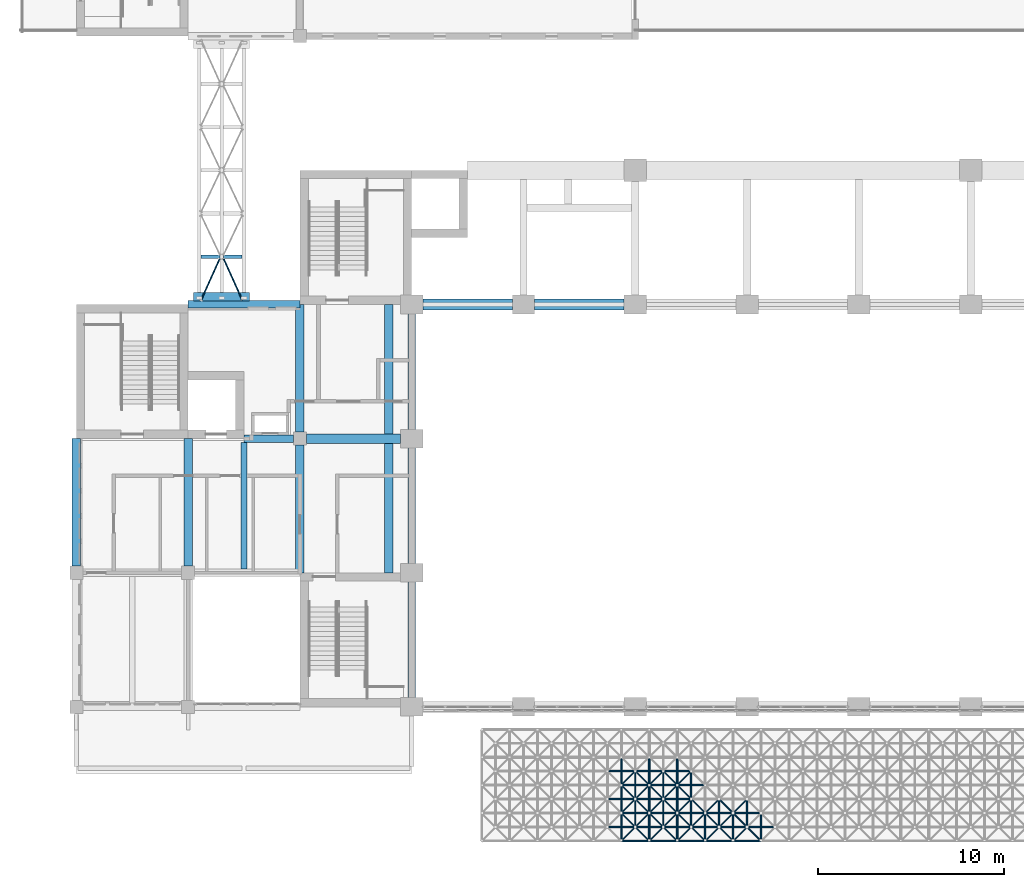
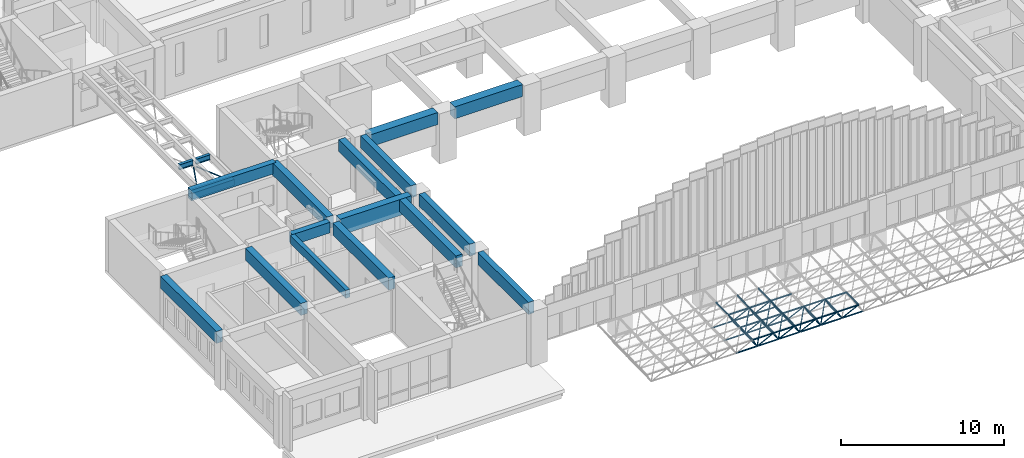
# One storey, part 11 of 103: 85 members, 18 beams.
"""IFC4 building model written with IfcOpenShell, lengths in metres."""

from ifc_helpers import new_model, si_unit, direction, frame, origin, origin_2d, place, context, subcontext, project, spatial, rectangle, hollow_circle, i_section, extrude, material, material_profile, profile_set, type_object, element, save


model = new_model("IFC4")

# Units and contexts
model_context = context("Model", 3, precision=1e-05, world=origin(), true_north=direction((0.0, 1.0)))
body_context = subcontext(model_context, "Body", "Model", "MODEL_VIEW")
ifc_project = project(units=[si_unit("LENGTHUNIT", "METRE"), si_unit("AREAUNIT", "SQUARE_METRE"), si_unit("VOLUMEUNIT", "CUBIC_METRE"), si_unit("PLANEANGLEUNIT", "RADIAN"), si_unit("MASSUNIT", "GRAM", prefix="KILO")], contexts=[model_context])

# Site, building, storey
site_placement = place(None, origin())
site = spatial("IfcSite", under=ifc_project, at=site_placement, CompositionType="ELEMENT")
building_placement = place(site_placement, origin())
building = spatial("IfcBuilding", under=site, at=building_placement, Name="Laocheng Heights Fire and Rescue Headquarters", CompositionType="ELEMENT")
storey_placement = place(building_placement, frame((0.0, 0.0, 4.199951171875)))
storey = spatial("IfcBuildingStorey", under=building, at=storey_placement, Name="L01", CompositionType="ELEMENT", Elevation=4.199951171875)

# Members
ifc_material_1 = material(Name="Steel Q355B", Category="steel")
ifc_material_profile_1 = material_profile(ifc_material_1, hollow_circle(Radius=0.05078125, WallThickness=0.00390625, at=origin_2d()), Name="CHS 101.6x4")
ifc_profile_set_1 = profile_set([ifc_material_profile_1], Name="Steel Q355B")
member_type_1 = type_object("IfcMemberType", Name="APRON CANOPY BOTTOM CHORD CHS 101.6x4", PredefinedType="CHORD", material=ifc_profile_set_1)
for number, where, z_axis, x_axis, name in (
    (1, (28.5, -3.449951171875, 0.8310546875), (1.0, 0.0, 0.0), (0.0, 1.0, 0.0), "Apron canopy bottom chord AC-B027"),
    (2, (30.0, -3.449951171875, 0.8310546875), (1.0, 0.0, 0.0), (0.0, 1.0, 0.0), "Apron canopy bottom chord AC-B028"),
    (3, (31.5, -3.449951171875, 0.8310546875), (1.0, 0.0, 0.0), (0.0, 1.0, 0.0), "Apron canopy bottom chord AC-B029"),
    (4, (28.5, -4.949951171875, 0.801025390625), (1.0, 0.0, 0.0), (0.0, 1.0, 0.0), "Apron canopy bottom chord AC-B049"),
    (5, (30.0, -4.949951171875, 0.801025390625), (1.0, 0.0, 0.0), (0.0, 1.0, 0.0), "Apron canopy bottom chord AC-B050"),
    (6, (31.5, -4.949951171875, 0.801025390625), (1.0, 0.0, 0.0), (0.0, 1.0, 0.0), "Apron canopy bottom chord AC-B051"),
    (7, (28.5, -6.449951171875, 0.77099609375), (1.0, 0.0, 0.0), (0.0, 1.0, 0.0), "Apron canopy bottom chord AC-B071"),
    (8, (30.0, -6.449951171875, 0.77099609375), (1.0, 0.0, 0.0), (0.0, 1.0, 0.0), "Apron canopy bottom chord AC-B072"),
    (9, (31.5, -6.449951171875, 0.77099609375), (1.0, 0.0, 0.0), (0.0, 1.0, 0.0), "Apron canopy bottom chord AC-B073"),
    (10, (33.0, -6.449951171875, 0.77099609375), (1.0, 0.0, 0.0), (0.0, 1.0, 0.0), "Apron canopy bottom chord AC-B074"),
    (11, (34.5, -6.449951171875, 0.77099609375), (1.0, 0.0, 0.0), (0.0, 1.0, 0.0), "Apron canopy bottom chord AC-B075"),
    (12, (36.0, -6.449951171875, 0.77099609375), (1.0, 0.0, 0.0), (0.0, 1.0, 0.0), "Apron canopy bottom chord AC-B076"),
):
    element("IfcMember", number, at=place(storey_placement, frame(where, z_axis=z_axis, x_axis=x_axis)), inside=storey, type_object=member_type_1, Name=name, PredefinedType="CHORD", context=body_context, shape_type="SweptSolid", body=[
        extrude(hollow_circle(Radius=0.05078125, WallThickness=0.00390625, at=origin_2d()), origin(), (0.0, 0.0, 1.0), 1.5),
    ])
for number, where, z_axis, x_axis, name in (
    (13, (30.0, -3.449951171875, 0.8310546875), (0.0, -0.999799669399, -0.020015520725), (1.0, 0.0, 0.0), "Apron canopy bottom chord AC-B105"),
    (14, (30.0, -4.949951171875, 0.801025390625), (0.0, -0.999799669399, -0.020015520725), (1.0, 0.0, 0.0), "Apron canopy bottom chord AC-B106"),
    (15, (31.5, -3.449951171875, 0.8310546875), (0.0, -0.999799669399, -0.020015520725), (1.0, 0.0, 0.0), "Apron canopy bottom chord AC-B108"),
    (16, (31.5, -4.949951171875, 0.801025390625), (0.0, -0.999799669399, -0.020015520725), (1.0, 0.0, 0.0), "Apron canopy bottom chord AC-B109"),
    (17, (33.0, -3.449951171875, 0.8310546875), (0.0, -0.999799669399, -0.020015520725), (1.0, 0.0, 0.0), "Apron canopy bottom chord AC-B111"),
    (18, (33.0, -4.949951171875, 0.801025390625), (0.0, -0.999799669399, -0.020015520725), (1.0, 0.0, 0.0), "Apron canopy bottom chord AC-B112"),
    (19, (34.5, -4.949951171875, 0.801025390625), (0.0, -0.999799669399, -0.020015520725), (1.0, 0.0, 0.0), "Apron canopy bottom chord AC-B115"),
    (20, (36.0, -4.949951171875, 0.801025390625), (0.0, -0.999799669399, -0.020015520725), (1.0, 0.0, 0.0), "Apron canopy bottom chord AC-B118"),
):
    element("IfcMember", number, at=place(storey_placement, frame(where, z_axis=z_axis, x_axis=x_axis)), inside=storey, type_object=member_type_1, Name=name, PredefinedType="CHORD", context=body_context, shape_type="SweptSolid", body=[
        extrude(hollow_circle(Radius=0.05078125, WallThickness=0.00390625, at=origin_2d()), origin(), (0.0, 0.0, 1.0), 1.500244140625),
    ])
ifc_material_2 = material(Name="Steel Q355B", Category="steel")
ifc_material_profile_2 = material_profile(ifc_material_2, hollow_circle(Radius=0.05712890625, WallThickness=0.0048828125, at=origin_2d()), Name="CHS 114.3x5")
ifc_profile_set_2 = profile_set([ifc_material_profile_2], Name="Steel Q355B")
member_type_2 = type_object("IfcMemberType", Name="APRON CANOPY TOP CHORD CHS 114.3x5", PredefinedType="CHORD", material=ifc_profile_set_2)
for number, where, z_axis, x_axis, name in (
    (21, (29.25, -4.199951171875, 2.01611328125), (1.0, 0.0, 0.0), (0.0, 1.0, 0.0), "Apron canopy top chord AC-T052"),
    (22, (30.75, -4.199951171875, 2.01611328125), (1.0, 0.0, 0.0), (0.0, 1.0, 0.0), "Apron canopy top chord AC-T053"),
    (23, (32.25, -4.199951171875, 2.01611328125), (1.0, 0.0, 0.0), (0.0, 1.0, 0.0), "Apron canopy top chord AC-T054"),
    (24, (29.25, -5.699951171875, 1.986083984375), (1.0, 0.0, 0.0), (0.0, 1.0, 0.0), "Apron canopy top chord AC-T075"),
    (25, (30.75, -5.699951171875, 1.986083984375), (1.0, 0.0, 0.0), (0.0, 1.0, 0.0), "Apron canopy top chord AC-T076"),
    (26, (32.25, -5.699951171875, 1.986083984375), (1.0, 0.0, 0.0), (0.0, 1.0, 0.0), "Apron canopy top chord AC-T077"),
    (27, (33.75, -5.699951171875, 1.986083984375), (1.0, 0.0, 0.0), (0.0, 1.0, 0.0), "Apron canopy top chord AC-T078"),
    (28, (35.25, -5.699951171875, 1.986083984375), (1.0, 0.0, 0.0), (0.0, 1.0, 0.0), "Apron canopy top chord AC-T079"),
    (29, (29.25, -7.199951171875, 1.9560546875), (1.0, 0.0, 0.0), (0.0, 1.0, 0.0), "Apron canopy top chord AC-T098"),
    (30, (30.75, -7.199951171875, 1.9560546875), (1.0, 0.0, 0.0), (0.0, 1.0, 0.0), "Apron canopy top chord AC-T099"),
    (31, (32.25, -7.199951171875, 1.9560546875), (1.0, 0.0, 0.0), (0.0, 1.0, 0.0), "Apron canopy top chord AC-T100"),
    (32, (33.75, -7.199951171875, 1.9560546875), (1.0, 0.0, 0.0), (0.0, 1.0, 0.0), "Apron canopy top chord AC-T101"),
    (33, (35.25, -7.199951171875, 1.9560546875), (1.0, 0.0, 0.0), (0.0, 1.0, 0.0), "Apron canopy top chord AC-T102"),
):
    element("IfcMember", number, at=place(storey_placement, frame(where, z_axis=z_axis, x_axis=x_axis)), inside=storey, type_object=member_type_2, Name=name, PredefinedType="CHORD", context=body_context, shape_type="SweptSolid", body=[
        extrude(hollow_circle(Radius=0.05712890625, WallThickness=0.0048828125, at=origin_2d()), origin(), (0.0, 0.0, 1.0), 1.5),
    ])
for number, where, z_axis, x_axis, name in (
    (34, (29.25, -2.699951171875, 2.046142578125), (0.0, -0.999799669399, -0.020015520725), (1.0, 0.0, 0.0), "Apron canopy top chord AC-T137"),
    (35, (29.25, -4.199951171875, 2.01611328125), (0.0, -0.999799669399, -0.020015520725), (1.0, 0.0, 0.0), "Apron canopy top chord AC-T138"),
    (36, (29.25, -5.699951171875, 1.986083984375), (0.0, -0.999799669399, -0.020015520725), (1.0, 0.0, 0.0), "Apron canopy top chord AC-T139"),
    (37, (30.75, -2.699951171875, 2.046142578125), (0.0, -0.999799669399, -0.020015520725), (1.0, 0.0, 0.0), "Apron canopy top chord AC-T141"),
    (38, (30.75, -4.199951171875, 2.01611328125), (0.0, -0.999799669399, -0.020015520725), (1.0, 0.0, 0.0), "Apron canopy top chord AC-T142"),
    (39, (30.75, -5.699951171875, 1.986083984375), (0.0, -0.999799669399, -0.020015520725), (1.0, 0.0, 0.0), "Apron canopy top chord AC-T143"),
    (40, (32.25, -2.699951171875, 2.046142578125), (0.0, -0.999799669399, -0.020015520725), (1.0, 0.0, 0.0), "Apron canopy top chord AC-T145"),
    (41, (32.25, -4.199951171875, 2.01611328125), (0.0, -0.999799669399, -0.020015520725), (1.0, 0.0, 0.0), "Apron canopy top chord AC-T146"),
    (42, (32.25, -5.699951171875, 1.986083984375), (0.0, -0.999799669399, -0.020015520725), (1.0, 0.0, 0.0), "Apron canopy top chord AC-T147"),
    (43, (33.75, -5.699951171875, 1.986083984375), (0.0, -0.999799669399, -0.020015520725), (1.0, 0.0, 0.0), "Apron canopy top chord AC-T151"),
    (44, (35.25, -5.699951171875, 1.986083984375), (0.0, -0.999799669399, -0.020015520725), (1.0, 0.0, 0.0), "Apron canopy top chord AC-T155"),
    (45, (36.75, -5.699951171875, 1.986083984375), (0.0, -0.999799669399, -0.020015520725), (1.0, 0.0, 0.0), "Apron canopy top chord AC-T159"),
):
    element("IfcMember", number, at=place(storey_placement, frame(where, z_axis=z_axis, x_axis=x_axis)), inside=storey, type_object=member_type_2, Name=name, PredefinedType="CHORD", context=body_context, shape_type="SweptSolid", body=[
        extrude(hollow_circle(Radius=0.05712890625, WallThickness=0.0048828125, at=origin_2d()), origin(), (0.0, 0.0, 1.0), 1.500244140625),
    ])
ifc_material_3 = material(Name="Steel Q355B", Category="steel")
ifc_material_profile_3 = material_profile(ifc_material_3, hollow_circle(Radius=0.0380859375, WallThickness=0.00390625, at=origin_2d()), Name="CHS 76.1x4")
ifc_profile_set_3 = profile_set([ifc_material_profile_3], Name="Steel Q355B")
member_type_3 = type_object("IfcMemberType", Name="APRON CANOPY WEB CHS 76.1x4", PredefinedType="BRACE", material=ifc_profile_set_3)
for number, where, z_axis, x_axis, name in (
    (46, (30.0, -3.449951171875, 0.8310546875), (-0.471580249604, -0.471580249604, 0.745133636582), (0.707106781187, -0.707106781187, 0.0), "Apron canopy web AC-W115"),
    (47, (30.0, -3.449951171875, 0.8310546875), (0.471580249604, -0.471580249604, 0.745133636582), (0.707106781187, 0.707106781187, 0.0), "Apron canopy web AC-W116"),
    (48, (31.5, -3.449951171875, 0.8310546875), (-0.471580249604, -0.471580249604, 0.745133636582), (0.707106781187, -0.707106781187, 0.0), "Apron canopy web AC-W119"),
    (49, (31.5, -3.449951171875, 0.8310546875), (0.471580249604, -0.471580249604, 0.745133636582), (0.707106781187, 0.707106781187, 0.0), "Apron canopy web AC-W120"),
    (50, (33.0, -3.449951171875, 0.8310546875), (-0.471580249604, -0.471580249604, 0.745133636582), (0.707106781187, -0.707106781187, 0.0), "Apron canopy web AC-W123"),
):
    element("IfcMember", number, at=place(storey_placement, frame(where, z_axis=z_axis, x_axis=x_axis)), inside=storey, type_object=member_type_3, Name=name, PredefinedType="BRACE", context=body_context, shape_type="SweptSolid", body=[
        extrude(hollow_circle(Radius=0.0380859375, WallThickness=0.00390625, at=origin_2d()), origin(), (0.0, 0.0, 1.0), 1.59033203125),
    ])
for number, where, z_axis, x_axis, name in (
    (51, (30.0, -4.949951171875, 0.801025390625), (-0.465001629625, 0.465001629625, 0.75335713237), (-0.707106781187, -0.707106781187, 0.0), "Apron canopy web AC-W205"),
    (52, (30.0, -4.949951171875, 0.801025390625), (0.465001629625, 0.465001629625, 0.75335713237), (-0.707106781187, 0.707106781187, 0.0), "Apron canopy web AC-W206"),
):
    element("IfcMember", number, at=place(storey_placement, frame(where, z_axis=z_axis, x_axis=x_axis)), inside=storey, type_object=member_type_3, Name=name, PredefinedType="BRACE", context=body_context, shape_type="SweptSolid", body=[
        extrude(hollow_circle(Radius=0.0380859375, WallThickness=0.00390625, at=origin_2d()), origin(), (0.0, 0.0, 1.0), 1.61279296875),
    ])
for number, where, z_axis, x_axis, name in (
    (53, (30.0, -4.949951171875, 0.801025390625), (-0.471580249604, -0.471580249604, 0.745133636582), (0.707106781187, -0.707106781187, 0.0), "Apron canopy web AC-W207"),
    (54, (30.0, -4.949951171875, 0.801025390625), (0.471580249604, -0.471580249604, 0.745133636582), (0.707106781187, 0.707106781187, 0.0), "Apron canopy web AC-W208"),
):
    element("IfcMember", number, at=place(storey_placement, frame(where, z_axis=z_axis, x_axis=x_axis)), inside=storey, type_object=member_type_3, Name=name, PredefinedType="BRACE", context=body_context, shape_type="SweptSolid", body=[
        extrude(hollow_circle(Radius=0.0380859375, WallThickness=0.00390625, at=origin_2d()), origin(), (0.0, 0.0, 1.0), 1.59033203125),
    ])
for number, where, z_axis, x_axis, name in (
    (55, (31.5, -4.949951171875, 0.801025390625), (-0.465001629625, 0.465001629625, 0.75335713237), (-0.707106781187, -0.707106781187, 0.0), "Apron canopy web AC-W209"),
    (56, (31.5, -4.949951171875, 0.801025390625), (0.465001629625, 0.465001629625, 0.75335713237), (-0.707106781187, 0.707106781187, 0.0), "Apron canopy web AC-W210"),
):
    element("IfcMember", number, at=place(storey_placement, frame(where, z_axis=z_axis, x_axis=x_axis)), inside=storey, type_object=member_type_3, Name=name, PredefinedType="BRACE", context=body_context, shape_type="SweptSolid", body=[
        extrude(hollow_circle(Radius=0.0380859375, WallThickness=0.00390625, at=origin_2d()), origin(), (0.0, 0.0, 1.0), 1.61279296875),
    ])
for number, where, z_axis, x_axis, name in (
    (57, (31.5, -4.949951171875, 0.801025390625), (-0.471580249604, -0.471580249604, 0.745133636582), (0.707106781187, -0.707106781187, 0.0), "Apron canopy web AC-W211"),
    (58, (31.5, -4.949951171875, 0.801025390625), (0.471580249604, -0.471580249604, 0.745133636582), (0.707106781187, 0.707106781187, 0.0), "Apron canopy web AC-W212"),
):
    element("IfcMember", number, at=place(storey_placement, frame(where, z_axis=z_axis, x_axis=x_axis)), inside=storey, type_object=member_type_3, Name=name, PredefinedType="BRACE", context=body_context, shape_type="SweptSolid", body=[
        extrude(hollow_circle(Radius=0.0380859375, WallThickness=0.00390625, at=origin_2d()), origin(), (0.0, 0.0, 1.0), 1.59033203125),
    ])
member_1_placement = place(storey_placement, frame((33.0, -4.949951171875, 0.801025390625), z_axis=(-0.465001629625, 0.465001629625, 0.75335713237), x_axis=(-0.707106781187, -0.707106781187, 0.0)))
element("IfcMember", 59, at=member_1_placement, inside=storey, type_object=member_type_3, Name="Apron canopy web AC-W213", PredefinedType="BRACE", context=body_context, shape_type="SweptSolid", body=[
    extrude(hollow_circle(Radius=0.0380859375, WallThickness=0.00390625, at=origin_2d()), origin(), (0.0, 0.0, 1.0), 1.61279296875),
])
for number, where, z_axis, x_axis, name in (
    (60, (33.0, -4.949951171875, 0.801025390625), (-0.471580249604, -0.471580249604, 0.745133636582), (0.707106781187, -0.707106781187, 0.0), "Apron canopy web AC-W215"),
    (61, (33.0, -4.949951171875, 0.801025390625), (0.471580249604, -0.471580249604, 0.745133636582), (0.707106781187, 0.707106781187, 0.0), "Apron canopy web AC-W216"),
    (62, (34.5, -4.949951171875, 0.801025390625), (-0.471580249604, -0.471580249604, 0.745133636582), (0.707106781187, -0.707106781187, 0.0), "Apron canopy web AC-W219"),
    (63, (34.5, -4.949951171875, 0.801025390625), (0.471580249604, -0.471580249604, 0.745133636582), (0.707106781187, 0.707106781187, 0.0), "Apron canopy web AC-W220"),
    (64, (36.0, -4.949951171875, 0.801025390625), (-0.471580249604, -0.471580249604, 0.745133636582), (0.707106781187, -0.707106781187, 0.0), "Apron canopy web AC-W223"),
):
    element("IfcMember", number, at=place(storey_placement, frame(where, z_axis=z_axis, x_axis=x_axis)), inside=storey, type_object=member_type_3, Name=name, PredefinedType="BRACE", context=body_context, shape_type="SweptSolid", body=[
        extrude(hollow_circle(Radius=0.0380859375, WallThickness=0.00390625, at=origin_2d()), origin(), (0.0, 0.0, 1.0), 1.59033203125),
    ])
for number, where, z_axis, x_axis, name in (
    (65, (30.0, -6.449951171875, 0.77099609375), (-0.465001629625, 0.465001629625, 0.75335713237), (-0.707106781187, -0.707106781187, 0.0), "Apron canopy web AC-W297"),
    (66, (30.0, -6.449951171875, 0.77099609375), (0.465001629625, 0.465001629625, 0.75335713237), (-0.707106781187, 0.707106781187, 0.0), "Apron canopy web AC-W298"),
):
    element("IfcMember", number, at=place(storey_placement, frame(where, z_axis=z_axis, x_axis=x_axis)), inside=storey, type_object=member_type_3, Name=name, PredefinedType="BRACE", context=body_context, shape_type="SweptSolid", body=[
        extrude(hollow_circle(Radius=0.0380859375, WallThickness=0.00390625, at=origin_2d()), origin(), (0.0, 0.0, 1.0), 1.61279296875),
    ])
for number, where, z_axis, x_axis, name in (
    (67, (30.0, -6.449951171875, 0.77099609375), (-0.471580249604, -0.471580249604, 0.745133636582), (0.707106781187, -0.707106781187, 0.0), "Apron canopy web AC-W299"),
    (68, (30.0, -6.449951171875, 0.77099609375), (0.471580249604, -0.471580249604, 0.745133636582), (0.707106781187, 0.707106781187, 0.0), "Apron canopy web AC-W300"),
):
    element("IfcMember", number, at=place(storey_placement, frame(where, z_axis=z_axis, x_axis=x_axis)), inside=storey, type_object=member_type_3, Name=name, PredefinedType="BRACE", context=body_context, shape_type="SweptSolid", body=[
        extrude(hollow_circle(Radius=0.0380859375, WallThickness=0.00390625, at=origin_2d()), origin(), (0.0, 0.0, 1.0), 1.59033203125),
    ])
for number, where, z_axis, x_axis, name in (
    (69, (31.5, -6.449951171875, 0.77099609375), (-0.465001629625, 0.465001629625, 0.75335713237), (-0.707106781187, -0.707106781187, 0.0), "Apron canopy web AC-W301"),
    (70, (31.5, -6.449951171875, 0.77099609375), (0.465001629625, 0.465001629625, 0.75335713237), (-0.707106781187, 0.707106781187, 0.0), "Apron canopy web AC-W302"),
):
    element("IfcMember", number, at=place(storey_placement, frame(where, z_axis=z_axis, x_axis=x_axis)), inside=storey, type_object=member_type_3, Name=name, PredefinedType="BRACE", context=body_context, shape_type="SweptSolid", body=[
        extrude(hollow_circle(Radius=0.0380859375, WallThickness=0.00390625, at=origin_2d()), origin(), (0.0, 0.0, 1.0), 1.61279296875),
    ])
for number, where, z_axis, x_axis, name in (
    (71, (31.5, -6.449951171875, 0.77099609375), (-0.471580249604, -0.471580249604, 0.745133636582), (0.707106781187, -0.707106781187, 0.0), "Apron canopy web AC-W303"),
    (72, (31.5, -6.449951171875, 0.77099609375), (0.471580249604, -0.471580249604, 0.745133636582), (0.707106781187, 0.707106781187, 0.0), "Apron canopy web AC-W304"),
):
    element("IfcMember", number, at=place(storey_placement, frame(where, z_axis=z_axis, x_axis=x_axis)), inside=storey, type_object=member_type_3, Name=name, PredefinedType="BRACE", context=body_context, shape_type="SweptSolid", body=[
        extrude(hollow_circle(Radius=0.0380859375, WallThickness=0.00390625, at=origin_2d()), origin(), (0.0, 0.0, 1.0), 1.59033203125),
    ])
for number, where, z_axis, x_axis, name in (
    (73, (33.0, -6.449951171875, 0.77099609375), (-0.465001629625, 0.465001629625, 0.75335713237), (-0.707106781187, -0.707106781187, 0.0), "Apron canopy web AC-W305"),
    (74, (33.0, -6.449951171875, 0.77099609375), (0.465001629625, 0.465001629625, 0.75335713237), (-0.707106781187, 0.707106781187, 0.0), "Apron canopy web AC-W306"),
):
    element("IfcMember", number, at=place(storey_placement, frame(where, z_axis=z_axis, x_axis=x_axis)), inside=storey, type_object=member_type_3, Name=name, PredefinedType="BRACE", context=body_context, shape_type="SweptSolid", body=[
        extrude(hollow_circle(Radius=0.0380859375, WallThickness=0.00390625, at=origin_2d()), origin(), (0.0, 0.0, 1.0), 1.61279296875),
    ])
for number, where, z_axis, x_axis, name in (
    (75, (33.0, -6.449951171875, 0.77099609375), (-0.471580249604, -0.471580249604, 0.745133636582), (0.707106781187, -0.707106781187, 0.0), "Apron canopy web AC-W307"),
    (76, (33.0, -6.449951171875, 0.77099609375), (0.471580249604, -0.471580249604, 0.745133636582), (0.707106781187, 0.707106781187, 0.0), "Apron canopy web AC-W308"),
):
    element("IfcMember", number, at=place(storey_placement, frame(where, z_axis=z_axis, x_axis=x_axis)), inside=storey, type_object=member_type_3, Name=name, PredefinedType="BRACE", context=body_context, shape_type="SweptSolid", body=[
        extrude(hollow_circle(Radius=0.0380859375, WallThickness=0.00390625, at=origin_2d()), origin(), (0.0, 0.0, 1.0), 1.59033203125),
    ])
for number, where, z_axis, x_axis, name in (
    (77, (34.5, -6.449951171875, 0.77099609375), (-0.465001629625, 0.465001629625, 0.75335713237), (-0.707106781187, -0.707106781187, 0.0), "Apron canopy web AC-W309"),
    (78, (34.5, -6.449951171875, 0.77099609375), (0.465001629625, 0.465001629625, 0.75335713237), (-0.707106781187, 0.707106781187, 0.0), "Apron canopy web AC-W310"),
):
    element("IfcMember", number, at=place(storey_placement, frame(where, z_axis=z_axis, x_axis=x_axis)), inside=storey, type_object=member_type_3, Name=name, PredefinedType="BRACE", context=body_context, shape_type="SweptSolid", body=[
        extrude(hollow_circle(Radius=0.0380859375, WallThickness=0.00390625, at=origin_2d()), origin(), (0.0, 0.0, 1.0), 1.61279296875),
    ])
for number, where, z_axis, x_axis, name in (
    (79, (34.5, -6.449951171875, 0.77099609375), (-0.471580249604, -0.471580249604, 0.745133636582), (0.707106781187, -0.707106781187, 0.0), "Apron canopy web AC-W311"),
    (80, (34.5, -6.449951171875, 0.77099609375), (0.471580249604, -0.471580249604, 0.745133636582), (0.707106781187, 0.707106781187, 0.0), "Apron canopy web AC-W312"),
):
    element("IfcMember", number, at=place(storey_placement, frame(where, z_axis=z_axis, x_axis=x_axis)), inside=storey, type_object=member_type_3, Name=name, PredefinedType="BRACE", context=body_context, shape_type="SweptSolid", body=[
        extrude(hollow_circle(Radius=0.0380859375, WallThickness=0.00390625, at=origin_2d()), origin(), (0.0, 0.0, 1.0), 1.59033203125),
    ])
member_2_placement = place(storey_placement, frame((36.0, -6.449951171875, 0.77099609375), z_axis=(-0.465001629625, 0.465001629625, 0.75335713237), x_axis=(-0.707106781187, -0.707106781187, 0.0)))
element("IfcMember", 81, at=member_2_placement, inside=storey, type_object=member_type_3, Name="Apron canopy web AC-W313", PredefinedType="BRACE", context=body_context, shape_type="SweptSolid", body=[
    extrude(hollow_circle(Radius=0.0380859375, WallThickness=0.00390625, at=origin_2d()), origin(), (0.0, 0.0, 1.0), 1.61279296875),
])
for number, where, z_axis, x_axis, name in (
    (82, (36.0, -6.449951171875, 0.77099609375), (-0.471580249604, -0.471580249604, 0.745133636582), (0.707106781187, -0.707106781187, 0.0), "Apron canopy web AC-W315"),
    (83, (36.0, -6.449951171875, 0.77099609375), (0.471580249604, -0.471580249604, 0.745133636582), (0.707106781187, 0.707106781187, 0.0), "Apron canopy web AC-W316"),
):
    element("IfcMember", number, at=place(storey_placement, frame(where, z_axis=z_axis, x_axis=x_axis)), inside=storey, type_object=member_type_3, Name=name, PredefinedType="BRACE", context=body_context, shape_type="SweptSolid", body=[
        extrude(hollow_circle(Radius=0.0380859375, WallThickness=0.00390625, at=origin_2d()), origin(), (0.0, 0.0, 1.0), 1.59033203125),
    ])

# Beams
ifc_material_4 = material(Name="Concrete C40", Category="concrete")
ifc_material_profile_4 = material_profile(ifc_material_4, rectangle(XDim=0.300048828125, YDim=0.60009765625, at=origin_2d()), Name="RC BEAM 300x600 PAVILION SECONDARY")
ifc_profile_set_4 = profile_set([ifc_material_profile_4], Name="Concrete C40")
beam_type_1 = type_object("IfcBeamType", Name="RC BEAM 300x600 PAVILION SECONDARY", PredefinedType="BEAM", material=ifc_profile_set_4)
beam_1_placement = place(storey_placement, frame((9.0, 7.39990234375, 3.650146484375), z_axis=(0.0, 1.0, 0.0), x_axis=(-1.0, 0.0, 0.0)))
element("IfcBeam", 84, at=beam_1_placement, inside=storey, type_object=beam_type_1, Name="Pavilion secondary beam", PredefinedType="BEAM", context=body_context, shape_type="SweptSolid", body=[
    extrude(rectangle(XDim=0.300048828125, YDim=0.60009765625, at=origin_2d()), origin(), (0.0, 0.0, 1.0), 6.800048828125),
])
ifc_material_5 = material(Name="Concrete C40", Category="concrete")
ifc_material_profile_5 = material_profile(ifc_material_5, rectangle(XDim=0.39990234375, YDim=0.800048828125, at=origin_2d()), Name="RC BEAM 400x800 PAVILION FLOOR")
ifc_profile_set_5 = profile_set([ifc_material_profile_5], Name="Concrete C40")
beam_type_2 = type_object("IfcBeamType", Name="RC BEAM 400x800 PAVILION FLOOR", PredefinedType="BEAM", material=ifc_profile_set_5)
beam_2_placement = place(storey_placement, frame((9.0, 14.39990234375, 3.550048828125), z_axis=(1.0, 0.0, 0.0), x_axis=(0.0, 1.0, 0.0)))
element("IfcBeam", 85, at=beam_2_placement, inside=storey, type_object=beam_type_2, Name="Pavilion beam", PredefinedType="BEAM", context=body_context, shape_type="SweptSolid", body=[
    extrude(rectangle(XDim=0.39990234375, YDim=0.800048828125, at=origin_2d()), origin(), (0.0, 0.0, 1.0), 2.64990234375),
])
beam_3_placement = place(storey_placement, frame((6.0, 21.60009765625, 3.550048828125), z_axis=(1.0, 0.0, 0.0), x_axis=(0.0, 1.0, 0.0)))
element("IfcBeam", 86, at=beam_3_placement, inside=storey, type_object=beam_type_2, Name="Pavilion beam", PredefinedType="BEAM", context=body_context, shape_type="SweptSolid", body=[
    extrude(rectangle(XDim=0.39990234375, YDim=0.800048828125, at=origin_2d()), origin(), (0.0, 0.0, 1.0), 6.0),
])
ifc_material_6 = material(Name="Concrete C50", Category="concrete")
ifc_material_profile_6 = material_profile(ifc_material_6, rectangle(XDim=0.39990234375, YDim=0.89990234375, at=origin_2d()), Name="RC BEAM 400x900 HALL SPRING BEAM")
ifc_profile_set_6 = profile_set([ifc_material_profile_6], Name="Concrete C50")
beam_type_3 = type_object("IfcBeamType", Name="RC BEAM 400x900 HALL SPRING BEAM", PredefinedType="BEAM", material=ifc_profile_set_6)
for number, where, z_axis, x_axis, name in (
    (87, (18.0, 0.5, 3.640625), (0.0, 1.0, 0.0), (-1.0, 0.0, 0.0), "Spring beam W1"),
    (88, (18.0, 7.699951171875, 3.640625), (0.0, 1.0, 0.0), (-1.0, 0.0, 0.0), "Spring beam W2"),
):
    element("IfcBeam", number, at=place(storey_placement, frame(where, z_axis=z_axis, x_axis=x_axis)), inside=storey, type_object=beam_type_3, Name=name, PredefinedType="BEAM", context=body_context, shape_type="SweptSolid", body=[
        extrude(rectangle(XDim=0.39990234375, YDim=0.89990234375, at=origin_2d()), origin(), (0.0, 0.0, 1.0), 6.199951171875),
    ])
beam_4_placement = place(storey_placement, frame((18.0, 14.89990234375, 3.640625), z_axis=(0.0, 1.0, 0.0), x_axis=(-1.0, 0.0, 0.0)))
element("IfcBeam", 89, at=beam_4_placement, inside=storey, type_object=beam_type_3, Name="Spring beam W3", PredefinedType="BEAM", context=body_context, shape_type="SweptSolid", body=[
    extrude(rectangle(XDim=0.39990234375, YDim=0.89990234375, at=origin_2d()), origin(), (0.0, 0.0, 1.0), 6.2001953125),
])
ifc_material_7 = material(Name="Concrete C40", Category="concrete")
ifc_material_profile_7 = material_profile(ifc_material_7, rectangle(XDim=0.449951171875, YDim=0.89990234375, at=origin_2d()), Name="RC BEAM 450x900 PAVILION FLOOR")
ifc_profile_set_7 = profile_set([ifc_material_profile_7], Name="Concrete C40")
beam_type_4 = type_object("IfcBeamType", Name="RC BEAM 450x900 PAVILION FLOOR", PredefinedType="BEAM", material=ifc_profile_set_7)
beam_5_placement = place(storey_placement, frame((16.77490234375, 7.199951171875, 3.5), z_axis=(0.0, 1.0, 0.0), x_axis=(-1.0, 0.0, 0.0)))
element("IfcBeam", 90, at=beam_5_placement, inside=storey, type_object=beam_type_4, Name="Pavilion spandrel beam", PredefinedType="BEAM", context=body_context, shape_type="SweptSolid", body=[
    extrude(rectangle(XDim=0.449951171875, YDim=0.89990234375, at=origin_2d()), origin(), (0.0, 0.0, 1.0), 6.949951171875),
])
beam_6_placement = place(storey_placement, frame((16.77490234375, 14.64990234375, 3.5), z_axis=(0.0, 1.0, 0.0), x_axis=(-1.0, 0.0, 0.0)))
element("IfcBeam", 91, at=beam_6_placement, inside=storey, type_object=beam_type_4, Name="Pavilion spandrel beam", PredefinedType="BEAM", context=body_context, shape_type="SweptSolid", body=[
    extrude(rectangle(XDim=0.449951171875, YDim=0.89990234375, at=origin_2d()), origin(), (0.0, 0.0, 1.0), 6.9501953125),
])
for number, where, z_axis, x_axis, name in (
    (92, (0.0, 7.550048828125, 3.5), (0.0, 1.0, 0.0), (-1.0, 0.0, 0.0), "Pavilion beam"),
    (93, (6.0, 7.550048828125, 3.5), (0.0, 1.0, 0.0), (-1.0, 0.0, 0.0), "Pavilion beam"),
):
    element("IfcBeam", number, at=place(storey_placement, frame(where, z_axis=z_axis, x_axis=x_axis)), inside=storey, type_object=beam_type_4, Name=name, PredefinedType="BEAM", context=body_context, shape_type="SweptSolid", body=[
        extrude(rectangle(XDim=0.449951171875, YDim=0.89990234375, at=origin_2d()), origin(), (0.0, 0.0, 1.0), 6.849853515625),
    ])
for number, where, z_axis, x_axis, name in (
    (94, (12.0, 7.199951171875, 3.5), (0.0, 1.0, 0.0), (-1.0, 0.0, 0.0), "Pavilion beam"),
    (95, (12.0, 14.75, 3.5), (0.0, 1.0, 0.0), (-1.0, 0.0, 0.0), "Pavilion beam"),
):
    element("IfcBeam", number, at=place(storey_placement, frame(where, z_axis=z_axis, x_axis=x_axis)), inside=storey, type_object=beam_type_4, Name=name, PredefinedType="BEAM", context=body_context, shape_type="SweptSolid", body=[
        extrude(rectangle(XDim=0.449951171875, YDim=0.89990234375, at=origin_2d()), origin(), (0.0, 0.0, 1.0), 6.85009765625),
    ])
ifc_material_8 = material(Name="Concrete C50", Category="concrete")
ifc_material_profile_8 = material_profile(ifc_material_8, rectangle(XDim=0.5, YDim=1.199951171875, at=origin_2d()), Name="RC BEAM 500x1200 PAVILION TRANSFER")
ifc_profile_set_8 = profile_set([ifc_material_profile_8], Name="Concrete C50")
beam_type_5 = type_object("IfcBeamType", Name="RC BEAM 500x1200 PAVILION TRANSFER", PredefinedType="BEAM", material=ifc_profile_set_8)
beam_7_placement = place(storey_placement, frame((12.35009765625, 14.39990234375, 3.35009765625), z_axis=(1.0, 0.0, 0.0), x_axis=(0.0, 1.0, 0.0)))
element("IfcBeam", 96, at=beam_7_placement, inside=storey, type_object=beam_type_5, Name="Pavilion beam", PredefinedType="BEAM", context=body_context, shape_type="SweptSolid", body=[
    extrude(rectangle(XDim=0.5, YDim=1.199951171875, at=origin_2d()), origin(), (0.0, 0.0, 1.0), 5.0498046875),
])
ifc_material_9 = material(Name="Concrete C50", Category="concrete")
ifc_material_profile_9 = material_profile(ifc_material_9, rectangle(XDim=0.60009765625, YDim=0.89990234375, at=origin_2d()), Name="RC BEAM 600x900 GABLE SPRING BEAM")
ifc_profile_set_9 = profile_set([ifc_material_profile_9], Name="Concrete C50")
beam_type_6 = type_object("IfcBeamType", Name="RC BEAM 600x900 GABLE SPRING BEAM", PredefinedType="BEAM", material=ifc_profile_set_9)
for number, where, z_axis, x_axis, name in (
    (97, (18.60009765625, 21.60009765625, 3.300048828125), (1.0, 0.0, 0.0), (0.0, 1.0, 0.0), "Gable spring beam N1"),
    (98, (24.60009765625, 21.60009765625, 3.300048828125), (1.0, 0.0, 0.0), (0.0, 1.0, 0.0), "Gable spring beam N2"),
):
    element("IfcBeam", number, at=place(storey_placement, frame(where, z_axis=z_axis, x_axis=x_axis)), inside=storey, type_object=beam_type_6, Name=name, PredefinedType="BEAM", context=body_context, shape_type="SweptSolid", body=[
        extrude(rectangle(XDim=0.60009765625, YDim=0.89990234375, at=origin_2d()), origin(), (0.0, 0.0, 1.0), 4.7998046875),
    ])
ifc_material_10 = material(Name="Concrete C40", Category="concrete")
ifc_material_profile_10 = material_profile(ifc_material_10, rectangle(XDim=0.449951171875, YDim=0.449951171875, at=origin_2d()), Name="RC CORBEL 450x450 BRIDGE SEAT")
ifc_profile_set_10 = profile_set([ifc_material_profile_10], Name="Concrete C40")
beam_type_7 = type_object("IfcBeamType", Name="RC CORBEL 450x450 BRIDGE SEAT", PredefinedType="BEAM", material=ifc_profile_set_10)
beam_8_placement = place(storey_placement, frame((6.300048828125, 22.02490234375, 3.1552734375), z_axis=(1.0, 0.0, 0.0), x_axis=(0.0, 1.0, 0.0)))
element("IfcBeam", 99, at=beam_8_placement, inside=storey, type_object=beam_type_7, Name="Bridge B1 corbel", PredefinedType="BEAM", context=body_context, shape_type="SweptSolid", body=[
    extrude(rectangle(XDim=0.449951171875, YDim=0.449951171875, at=origin_2d()), origin(), (0.0, 0.0, 1.0), 3.0),
])

# Members
ifc_material_11 = material(Name="Steel Q355B", Category="steel")
ifc_material_profile_11 = material_profile(ifc_material_11, hollow_circle(Radius=0.04443359375, WallThickness=0.0048828125, at=origin_2d()), Name="CHS 88.9x5")
ifc_profile_set_11 = profile_set([ifc_material_profile_11], Name="Steel Q355B")
member_type_4 = type_object("IfcMemberType", Name="STEEL BRIDGE PLAN BRACE CHS 88.9x5", PredefinedType="BRACE", material=ifc_profile_set_11)
for number, where, z_axis, x_axis, name in (
    (100, (6.699951171875, 21.85009765625, 3.4443359375), (0.411236985464, 0.911528464606, 0.0), (-0.911528464606, 0.411236985464, 0.0), "Bridge B1 plan bracing"),
    (101, (8.89990234375, 21.85009765625, 3.4443359375), (-0.411236985464, 0.911528464606, 0.0), (-0.911528464606, -0.411236985464, 0.0), "Bridge B1 plan bracing"),
):
    element("IfcMember", number, at=place(storey_placement, frame(where, z_axis=z_axis, x_axis=x_axis)), inside=storey, type_object=member_type_4, Name=name, PredefinedType="BRACE", context=body_context, shape_type="SweptSolid", body=[
        extrude(hollow_circle(Radius=0.04443359375, WallThickness=0.0048828125, at=origin_2d()), origin(), (0.0, 0.0, 1.0), 2.431640625),
    ])

# Beams
ifc_material_12 = material(Name="Steel Q355B", Category="steel")
ifc_material_profile_12 = material_profile(ifc_material_12, i_section(OverallWidth=0.199951171875, OverallDepth=0.39990234375, WebThickness=0.008056640625, FlangeThickness=0.012939453125, at=origin_2d()), Name="HN 400x200x8x13")
ifc_profile_set_12 = profile_set([ifc_material_profile_12], Name="Steel Q355B")
beam_type_8 = type_object("IfcBeamType", Name="STEEL BRIDGE TYING BEAM HN 400x200x8x13", PredefinedType="BEAM", material=ifc_profile_set_12)
for number, where, z_axis, x_axis, name in (
    (102, (6.699951171875, 24.166748046875, 3.800048828125), (1.0, 0.0, 0.0), (0.0, 1.0, 0.0), "Bridge B1 cross beam"),
    (103, (7.89990234375, 24.166748046875, 3.800048828125), (1.0, 0.0, 0.0), (0.0, 1.0, 0.0), "Bridge B1 cross beam"),
):
    element("IfcBeam", number, at=place(storey_placement, frame(where, z_axis=z_axis, x_axis=x_axis)), inside=storey, type_object=beam_type_8, Name=name, PredefinedType="BEAM", context=body_context, shape_type="SweptSolid", body=[
        extrude(i_section(OverallWidth=0.199951171875, OverallDepth=0.39990234375, WebThickness=0.008056640625, FlangeThickness=0.012939453125, at=origin_2d()), origin(), (0.0, 0.0, 1.0), 1.0),
    ])

save(model, "model.ifc")
